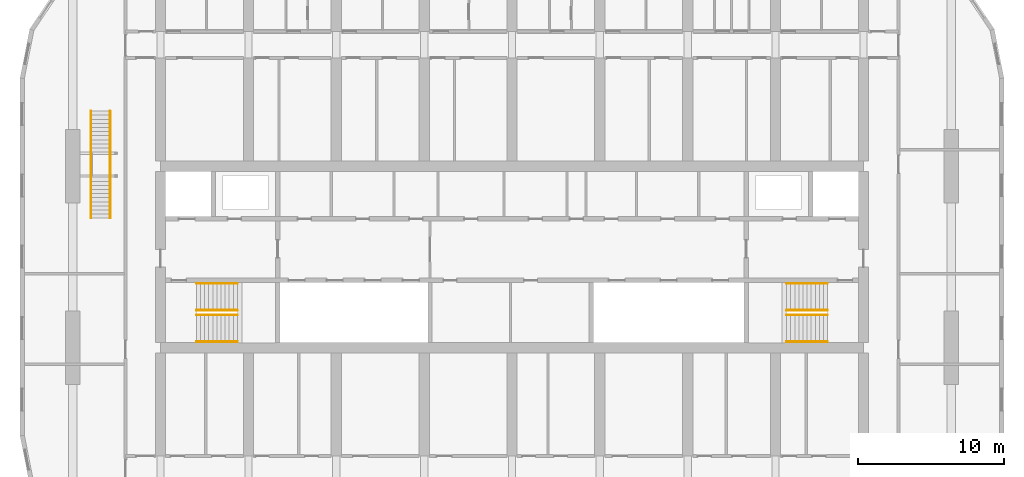
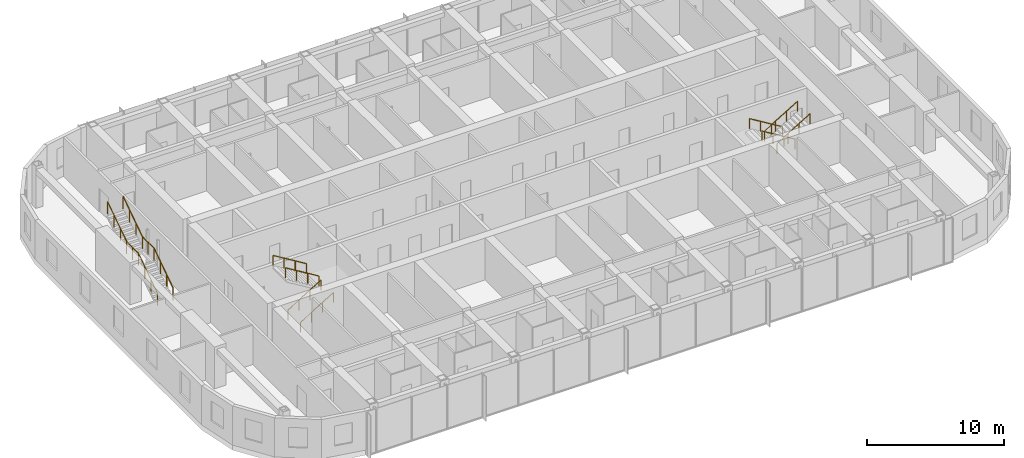
# One storey, part 28 of 28: 10 railings.
"""IFC4 building model written with IfcOpenShell, lengths in metres."""

from ifc_helpers import new_model, si_unit, direction, frame, origin, origin_2d, place, context, subcontext, project, spatial, circle, extrude, material, type_object, element, save


model = new_model("IFC4")

# Units and contexts
model_context = context("Model", 3, precision=1e-05, world=origin(), true_north=direction((0.0, 1.0)))
body_context = subcontext(model_context, "Body", "Model", "MODEL_VIEW")
ifc_project = project(units=[si_unit("LENGTHUNIT", "METRE"), si_unit("AREAUNIT", "SQUARE_METRE"), si_unit("VOLUMEUNIT", "CUBIC_METRE"), si_unit("PLANEANGLEUNIT", "RADIAN"), si_unit("MASSUNIT", "GRAM", prefix="KILO")], contexts=[model_context])

# Site, building, storey
site_placement = place(None, origin())
site = spatial("IfcSite", under=ifc_project, at=site_placement, CompositionType="ELEMENT")
building_placement = place(site_placement, origin())
building = spatial("IfcBuilding", under=site, at=building_placement, Name="Orbita Commons", CompositionType="ELEMENT")
storey_placement = place(building_placement, frame((0.0, 0.0, 216.550048828125)))
storey = spatial("IfcBuildingStorey", under=building, at=storey_placement, Name="L53", CompositionType="ELEMENT", Elevation=216.550048828125)

# Railings
ifc_material_1 = material(Name="Laminated glass, steel handrail", Category="steel")
railing_type_1 = type_object("IfcRailingType", Name="Feature stair balustrade, glass on steel stringer 1100", PredefinedType="BALUSTRADE", material=ifc_material_1)
for number, where, name in (
    (1, (13.239990234375, 34.64990234375, 0.0), "Neighbourhood stair L53 to L54 balustrade L"),
    (2, (14.56005859375, 34.64990234375, 0.0), "Neighbourhood stair L53 to L54 balustrade R"),
):
    element("IfcRailing", number, at=place(storey_placement, frame(where)), inside=storey, type_object=railing_type_1, Name=name, PredefinedType="BALUSTRADE", context=body_context, shape_type="SweptSolid", body=[
        extrude(circle(Radius=0.02490234375, at=origin_2d()), frame((0.0, 0.0, 1.0751953125), z_axis=(0.0, 0.830911662861, 0.55640435703), x_axis=(-1.0, 0.0, 0.0)), (0.0, 0.0, 1.0), 3.369873046875),
        extrude(circle(Radius=0.02490234375, at=origin_2d()), frame((0.0, 2.800048828125, 2.9501953125), z_axis=(0.0, 1.0, 0.0), x_axis=(-1.0, 0.0, 0.0)), (0.0, 0.0, 1.0), 1.7099609375),
        extrude(circle(Radius=0.02490234375, at=origin_2d()), frame((0.0, 4.510009765625, 2.9501953125), z_axis=(0.0, 0.830911662861, 0.55640435703), x_axis=(-1.0, 0.0, 0.0)), (0.0, 0.0, 1.0), 3.369873046875),
        extrude(circle(Radius=0.02001953125, at=origin_2d()), origin(), (0.0, 0.0, 1.0), 1.050048828125),
        extrude(circle(Radius=0.02001953125, at=origin_2d()), frame((0.0, 0.933349609375, 0.625)), (0.0, 0.0, 1.0), 1.050048828125),
        extrude(circle(Radius=0.02001953125, at=origin_2d()), frame((0.0, 1.86669921875, 1.25)), (0.0, 0.0, 1.0), 1.050048828125),
        extrude(circle(Radius=0.02001953125, at=origin_2d()), frame((0.0, 2.800048828125, 1.875)), (0.0, 0.0, 1.0), 1.050048828125),
        extrude(circle(Radius=0.02001953125, at=origin_2d()), frame((0.0, 3.655029296875, 1.875)), (0.0, 0.0, 1.0), 1.050048828125),
        extrude(circle(Radius=0.02001953125, at=origin_2d()), frame((0.0, 4.510009765625, 1.875)), (0.0, 0.0, 1.0), 1.050048828125),
        extrude(circle(Radius=0.02001953125, at=origin_2d()), frame((0.0, 5.443359375, 2.5)), (0.0, 0.0, 1.0), 1.050048828125),
        extrude(circle(Radius=0.02001953125, at=origin_2d()), frame((0.0, 6.376708984375, 3.125)), (0.0, 0.0, 1.0), 1.050048828125),
        extrude(circle(Radius=0.02001953125, at=origin_2d()), frame((0.0, 7.31005859375, 3.75)), (0.0, 0.0, 1.0), 1.050048828125),
    ])
ifc_material_2 = material(Name="Steel tube, painted", Category="steel")
railing_type_2 = type_object("IfcRailingType", Name="Stair handrail steel tube 900", PredefinedType="HANDRAIL", material=ifc_material_2)
for number, where, name in (
    (3, (20.449951171875, 28.0400390625, 0.17041015625), "Stair S1 handrail L53 flight 1"),
    (4, (20.449951171875, 26.2099609375, 0.17041015625), "Stair S1 handrail L53 flight 1"),
):
    element("IfcRailing", number, at=place(storey_placement, frame(where)), inside=storey, type_object=railing_type_2, Name=name, PredefinedType="HANDRAIL", context=body_context, shape_type="SweptSolid", body=[
        extrude(circle(Radius=0.02099609375, at=origin_2d()), frame((0.0, 0.0, 0.87890625), z_axis=(0.854169791009, 0.0, 0.51999420009), x_axis=(0.0, 1.0, 0.0)), (0.0, 0.0, 1.0), 3.278076171875),
        extrude(circle(Radius=0.02001953125, at=origin_2d()), origin(), (0.0, 0.0, 1.0), 0.85791015625),
        extrude(circle(Radius=0.02001953125, at=origin_2d()), frame((0.933349609375, 0.0, 0.568115234375)), (0.0, 0.0, 1.0), 0.85791015625),
        extrude(circle(Radius=0.02001953125, at=origin_2d()), frame((1.86669921875, 0.0, 1.136474609375)), (0.0, 0.0, 1.0), 0.85791015625),
        extrude(circle(Radius=0.02001953125, at=origin_2d()), frame((2.800048828125, 0.0, 1.70458984375)), (0.0, 0.0, 1.0), 0.85791015625),
    ])
for number, where, name in (
    (5, (23.25, 28.360107421875, 2.04541015625), "Stair S1 handrail L53 flight 2"),
    (6, (23.25, 30.18994140625, 2.04541015625), "Stair S1 handrail L53 flight 2"),
    (7, (63.550048828125, 28.360107421875, 0.17041015625), "Stair S2 handrail L53 flight 1"),
    (8, (63.550048828125, 30.18994140625, 0.17041015625), "Stair S2 handrail L53 flight 1"),
):
    element("IfcRailing", number, at=place(storey_placement, frame(where)), inside=storey, type_object=railing_type_2, Name=name, PredefinedType="HANDRAIL", context=body_context, shape_type="SweptSolid", body=[
        extrude(circle(Radius=0.02099609375, at=origin_2d()), frame((0.0, 0.0, 0.87890625), z_axis=(-0.854169791009, 0.0, 0.51999420009), x_axis=(0.0, -1.0, 0.0)), (0.0, 0.0, 1.0), 3.278076171875),
        extrude(circle(Radius=0.02001953125, at=origin_2d()), origin(), (0.0, 0.0, 1.0), 0.85791015625),
        extrude(circle(Radius=0.02001953125, at=origin_2d()), frame((-0.933349609375, 0.0, 0.568115234375)), (0.0, 0.0, 1.0), 0.85791015625),
        extrude(circle(Radius=0.02001953125, at=origin_2d()), frame((-1.86669921875, 0.0, 1.136474609375)), (0.0, 0.0, 1.0), 0.85791015625),
        extrude(circle(Radius=0.02001953125, at=origin_2d()), frame((-2.800048828125, 0.0, 1.70458984375)), (0.0, 0.0, 1.0), 0.85791015625),
    ])
for number, where, name in (
    (9, (60.75, 28.0400390625, 2.04541015625), "Stair S2 handrail L53 flight 2"),
    (10, (60.75, 26.2099609375, 2.04541015625), "Stair S2 handrail L53 flight 2"),
):
    element("IfcRailing", number, at=place(storey_placement, frame(where)), inside=storey, type_object=railing_type_2, Name=name, PredefinedType="HANDRAIL", context=body_context, shape_type="SweptSolid", body=[
        extrude(circle(Radius=0.02099609375, at=origin_2d()), frame((0.0, 0.0, 0.87890625), z_axis=(0.854169791009, 0.0, 0.51999420009), x_axis=(0.0, 1.0, 0.0)), (0.0, 0.0, 1.0), 3.278076171875),
        extrude(circle(Radius=0.02001953125, at=origin_2d()), origin(), (0.0, 0.0, 1.0), 0.85791015625),
        extrude(circle(Radius=0.02001953125, at=origin_2d()), frame((0.933349609375, 0.0, 0.568115234375)), (0.0, 0.0, 1.0), 0.85791015625),
        extrude(circle(Radius=0.02001953125, at=origin_2d()), frame((1.86669921875, 0.0, 1.136474609375)), (0.0, 0.0, 1.0), 0.85791015625),
        extrude(circle(Radius=0.02001953125, at=origin_2d()), frame((2.800048828125, 0.0, 1.70458984375)), (0.0, 0.0, 1.0), 0.85791015625),
    ])

save(model, "model.ifc")
